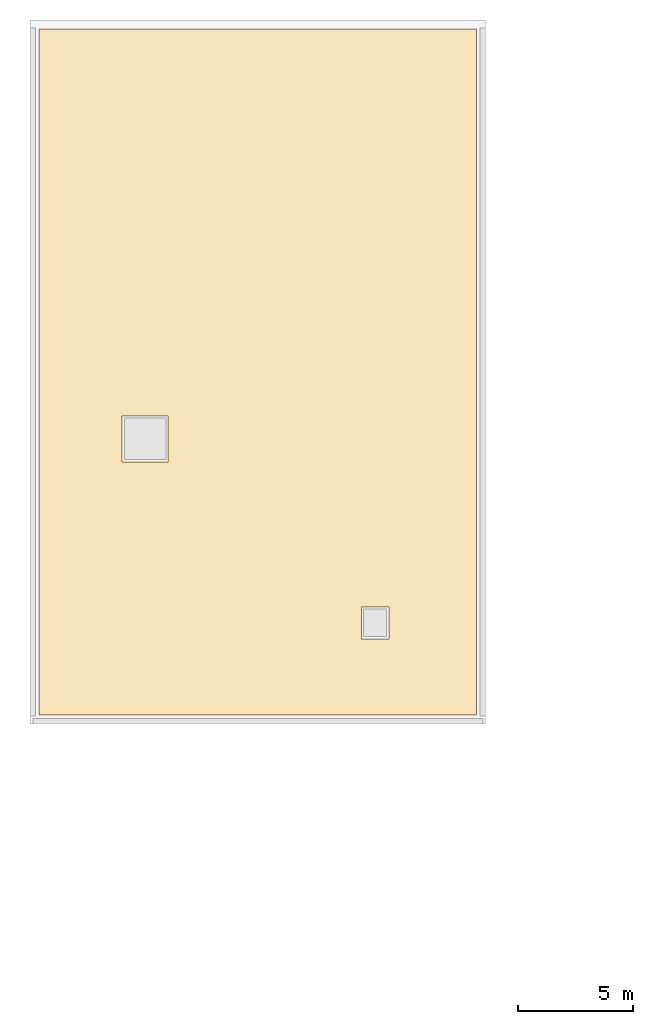
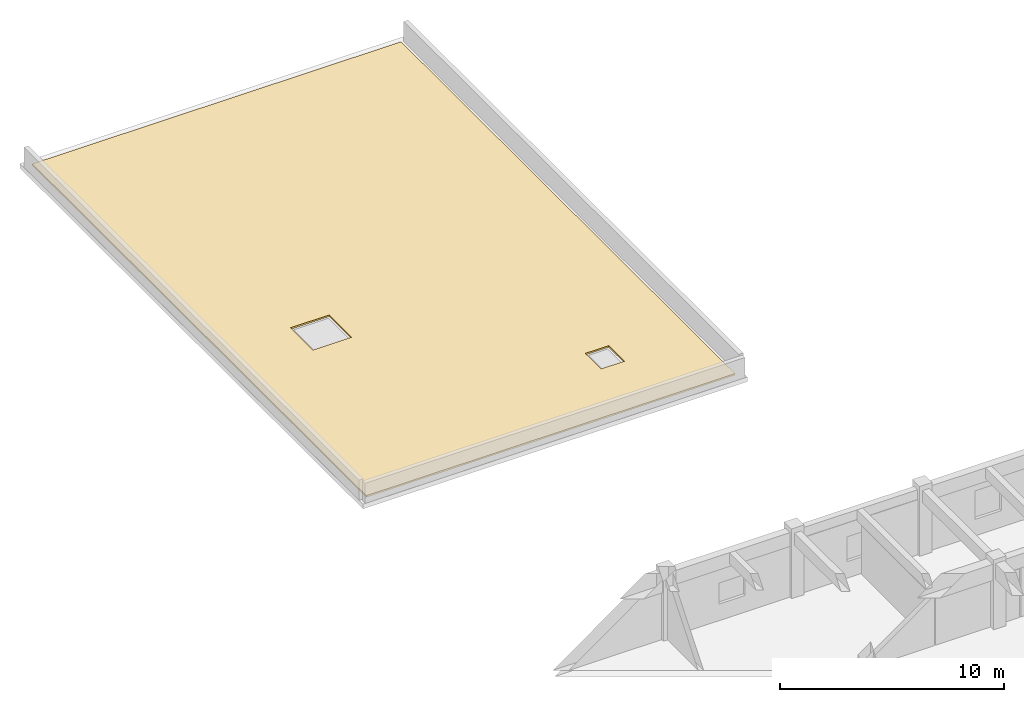
# One storey, part 9 of 9: 1 covering.
"""IFC4 building model written with IfcOpenShell, lengths in metres."""

from ifc_helpers import new_model, si_unit, direction, frame, origin, place, context, subcontext, project, spatial, polyline, outline, extrude, material, layer, layer_set, type_object, element, save


model = new_model("IFC4")

# Units and contexts
model_context = context("Model", 3, precision=1e-05, world=origin(), true_north=direction((0.0, 1.0)))
body_context = subcontext(model_context, "Body", "Model", "MODEL_VIEW")
ifc_project = project(units=[si_unit("LENGTHUNIT", "METRE"), si_unit("AREAUNIT", "SQUARE_METRE"), si_unit("VOLUMEUNIT", "CUBIC_METRE"), si_unit("PLANEANGLEUNIT", "RADIAN"), si_unit("MASSUNIT", "GRAM", prefix="KILO")], contexts=[model_context])

# Site, building, storey
site_placement = place(None, origin())
site = spatial("IfcSite", under=ifc_project, at=site_placement, CompositionType="ELEMENT")
building_placement = place(site_placement, origin())
building = spatial("IfcBuilding", under=site, at=building_placement, Name="Miralva Faculty of Natural Sciences", CompositionType="ELEMENT")
storey_placement = place(building_placement, frame((0.0, 0.0, 33.0)))
storey = spatial("IfcBuildingStorey", under=building, at=storey_placement, Name="L07", CompositionType="ELEMENT", Elevation=33.0)

# Covering
ifc_material = material(Name="Elastomeric waterproofing membrane")
ifc_layer = layer(ifc_material, 0.0849609375, Name="COV-RF01")
ifc_layer_set = layer_set([ifc_layer], Name="Elastomeric waterproofing membrane")
covering_type = type_object("IfcCoveringType", Name="COV-RF01", PredefinedType="ROOFING", material=ifc_layer_set)
covering_placement = place(storey_placement, origin())
element("IfcCovering", 1, at=covering_placement, inside=storey, type_object=covering_type, Name="Roof membrane and substrate L07-6", PredefinedType="ROOFING", context=body_context, shape_type="SweptSolid", body=[
    extrude(outline(polyline([(22.39990234375, 75.800048828125), (22.39990234375, 46.0), (3.39990234375, 46.0), (3.39990234375, 75.800048828125), (22.39990234375, 75.800048828125)]), holes=[polyline([(7.0, 59.0), (7.0, 57.0), (9.0, 57.0), (9.0, 59.0), (7.0, 59.0)]), polyline([(18.60009765625, 50.699951171875), (17.39990234375, 50.699951171875), (17.39990234375, 49.300048828125), (18.60009765625, 49.300048828125), (18.60009765625, 50.699951171875)])]), origin(), (0.0, 0.0, 1.0), 0.0849609375),
])

save(model, "model.ifc")
